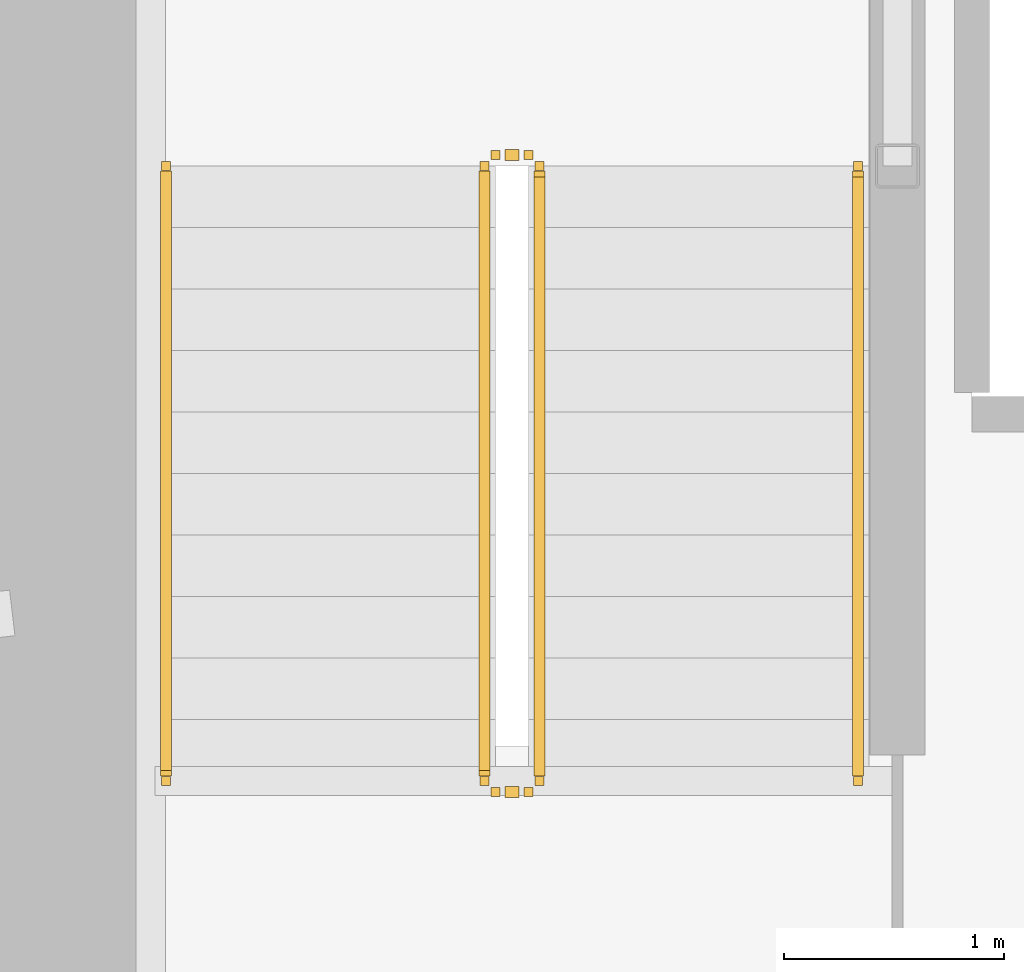
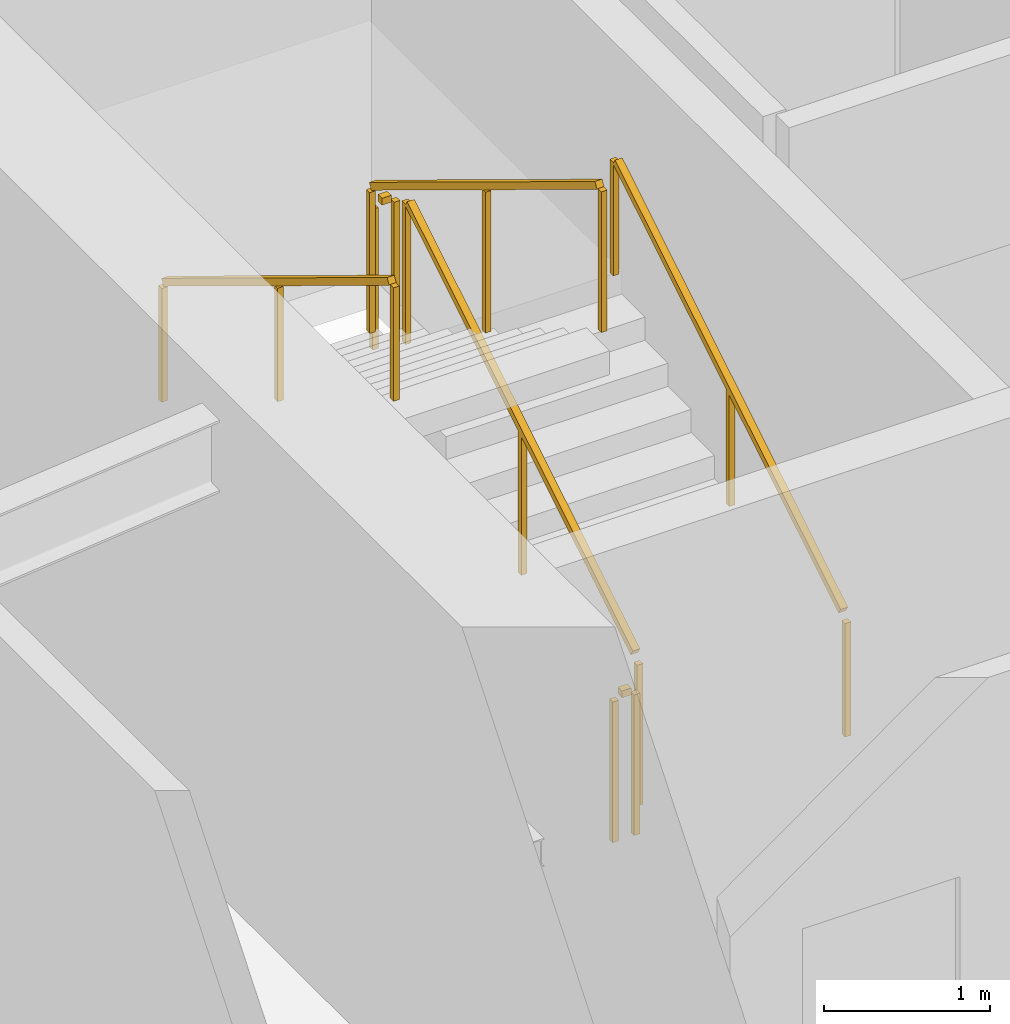
# One storey, part 18 of 23: 6 railings.
"""IFC4 building model written with IfcOpenShell, lengths in metres."""

from ifc_helpers import new_model, si_unit, direction, frame, origin, origin_2d, place, context, subcontext, project, spatial, rectangle, extrude, material, type_object, element, save


model = new_model("IFC4")

# Units and contexts
model_context = context("Model", 3, precision=1e-05, world=origin(), true_north=direction((0.0, 1.0)))
body_context = subcontext(model_context, "Body", "Model", "MODEL_VIEW")
ifc_project = project(units=[si_unit("LENGTHUNIT", "METRE"), si_unit("AREAUNIT", "SQUARE_METRE"), si_unit("VOLUMEUNIT", "CUBIC_METRE"), si_unit("PLANEANGLEUNIT", "RADIAN"), si_unit("MASSUNIT", "GRAM", prefix="KILO")], contexts=[model_context])

# Site, building, storey
site_placement = place(None, origin())
site = spatial("IfcSite", under=ifc_project, at=site_placement, CompositionType="ELEMENT")
building_placement = place(site_placement, origin())
building = spatial("IfcBuilding", under=site, at=building_placement, Name="Kazma Halo Residences", CompositionType="ELEMENT")
storey_placement = place(building_placement, frame((0.0, 0.0, 86.39990234375)))
storey = spatial("IfcBuildingStorey", under=building, at=storey_placement, Name="L21", CompositionType="ELEMENT", Elevation=86.39990234375)

# Railings
ifc_material_1 = material(Name="Painted Steel S355", Category="steel")
railing_type_1 = type_object("IfcRailingType", Name="RLG-STAIR-GRD-1100", PredefinedType="GUARDRAIL", material=ifc_material_1)
railing_1_placement = place(storey_placement, frame((39.550048828125, 39.949951171875, 0.170654296875)))
element("IfcRailing", 1, at=railing_1_placement, inside=storey, type_object=railing_type_1, Name="L21 ST-01 stair guard 1", PredefinedType="GUARDRAIL", context=body_context, shape_type="SweptSolid", body=[
    extrude(rectangle(XDim=0.050048828125, YDim=0.050048828125, at=origin_2d()), frame((0.0, 0.036376953125, 1.09716796875), z_axis=(0.0, 0.854202870247, 0.519939858505), x_axis=(-1.0, 0.0, 0.0)), (0.0, 0.0, 1.0), 3.19287109375),
    extrude(rectangle(XDim=0.0400390625, YDim=0.0400390625, at=origin_2d()), origin(), (0.0, 0.0, 1.0), 1.0380859375),
    extrude(rectangle(XDim=0.0400390625, YDim=0.0400390625, at=origin_2d()), frame((0.0, 1.39990234375, 0.85205078125)), (0.0, 0.0, 1.0), 1.0380859375),
    extrude(rectangle(XDim=0.0400390625, YDim=0.0400390625, at=origin_2d()), frame((0.0, 2.800048828125, 1.704345703125)), (0.0, 0.0, 1.0), 1.0380859375),
])
railing_2_placement = place(storey_placement, frame((39.5, 42.800048828125, 1.875)))
element("IfcRailing", 2, at=railing_2_placement, inside=storey, type_object=railing_type_1, Name="L21 ST-01 stair guard 2", PredefinedType="GUARDRAIL", context=body_context, shape_type="SweptSolid", body=[
    extrude(rectangle(XDim=0.050048828125, YDim=0.050048828125, at=origin_2d()), frame((-0.04248046875, 0.0, 1.0751953125), z_axis=(-1.0, 0.0, 0.0), x_axis=(0.0, -1.0, 0.0)), (0.0, 0.0, 1.0), 0.06494140625),
    extrude(rectangle(XDim=0.0400390625, YDim=0.0400390625, at=origin_2d()), origin(), (0.0, 0.0, 1.0), 1.0380859375),
    extrude(rectangle(XDim=0.0400390625, YDim=0.0400390625, at=origin_2d()), frame((-0.14990234375, 0.0, 0.0)), (0.0, 0.0, 1.0), 1.0380859375),
])
railing_3_placement = place(storey_placement, frame((39.300048828125, 42.75, 2.045654296875)))
element("IfcRailing", 3, at=railing_3_placement, inside=storey, type_object=railing_type_1, Name="L21 ST-01 stair guard 3", PredefinedType="GUARDRAIL", context=body_context, shape_type="SweptSolid", body=[
    extrude(rectangle(XDim=0.050048828125, YDim=0.050048828125, at=origin_2d()), frame((0.0, -0.036376953125, 1.09716796875), z_axis=(0.0, -0.854202870247, 0.519939858505), x_axis=(1.0, 0.0, 0.0)), (0.0, 0.0, 1.0), 3.19287109375),
    extrude(rectangle(XDim=0.0400390625, YDim=0.0400390625, at=origin_2d()), origin(), (0.0, 0.0, 1.0), 1.0380859375),
    extrude(rectangle(XDim=0.0400390625, YDim=0.0400390625, at=origin_2d()), frame((0.0, -1.39990234375, 0.85205078125)), (0.0, 0.0, 1.0), 1.0380859375),
    extrude(rectangle(XDim=0.0400390625, YDim=0.0400390625, at=origin_2d()), frame((0.0, -2.800048828125, 1.704345703125)), (0.0, 0.0, 1.0), 1.0380859375),
])
railing_4_placement = place(storey_placement, frame((39.5, 39.89990234375, 0.0)))
element("IfcRailing", 4, at=railing_4_placement, inside=storey, type_object=railing_type_1, Name="L21 ST-01 stair guard 4", PredefinedType="GUARDRAIL", context=body_context, shape_type="SweptSolid", body=[
    extrude(rectangle(XDim=0.050048828125, YDim=0.050048828125, at=origin_2d()), frame((-0.04248046875, 0.0, 1.0751953125), z_axis=(-1.0, 0.0, 0.0), x_axis=(0.0, -1.0, 0.0)), (0.0, 0.0, 1.0), 0.06494140625),
    extrude(rectangle(XDim=0.0400390625, YDim=0.0400390625, at=origin_2d()), origin(), (0.0, 0.0, 1.0), 1.0380859375),
    extrude(rectangle(XDim=0.0400390625, YDim=0.0400390625, at=origin_2d()), frame((-0.14990234375, 0.0, 0.0)), (0.0, 0.0, 1.0), 1.0380859375),
])
ifc_material_2 = material(Name="Brushed Stainless Steel", Category="steel")
railing_type_2 = type_object("IfcRailingType", Name="RLG-STAIR-HND-900", PredefinedType="HANDRAIL", material=ifc_material_2)
railing_5_placement = place(storey_placement, frame((41.0, 39.949951171875, 0.170654296875)))
element("IfcRailing", 5, at=railing_5_placement, inside=storey, type_object=railing_type_2, Name="L21 ST-01 stair handrail 1", PredefinedType="HANDRAIL", context=body_context, shape_type="SweptSolid", body=[
    extrude(rectangle(XDim=0.050048828125, YDim=0.050048828125, at=origin_2d()), frame((0.0, 0.036376953125, 0.89697265625), z_axis=(0.0, 0.854202870247, 0.519939858505), x_axis=(-1.0, 0.0, 0.0)), (0.0, 0.0, 1.0), 3.19287109375),
    extrude(rectangle(XDim=0.0400390625, YDim=0.0400390625, at=origin_2d()), origin(), (0.0, 0.0, 1.0), 0.837890625),
    extrude(rectangle(XDim=0.0400390625, YDim=0.0400390625, at=origin_2d()), frame((0.0, 1.39990234375, 0.85205078125)), (0.0, 0.0, 1.0), 0.837890625),
    extrude(rectangle(XDim=0.0400390625, YDim=0.0400390625, at=origin_2d()), frame((0.0, 2.800048828125, 1.704345703125)), (0.0, 0.0, 1.0), 0.837890625),
])
railing_6_placement = place(storey_placement, frame((37.85009765625, 42.75, 2.045654296875)))
element("IfcRailing", 6, at=railing_6_placement, inside=storey, type_object=railing_type_2, Name="L21 ST-01 stair handrail 2", PredefinedType="HANDRAIL", context=body_context, shape_type="SweptSolid", body=[
    extrude(rectangle(XDim=0.050048828125, YDim=0.050048828125, at=origin_2d()), frame((0.0, -0.036376953125, 0.89697265625), z_axis=(0.0, -0.854202870247, 0.519939858505), x_axis=(1.0, 0.0, 0.0)), (0.0, 0.0, 1.0), 3.19287109375),
    extrude(rectangle(XDim=0.0400390625, YDim=0.0400390625, at=origin_2d()), origin(), (0.0, 0.0, 1.0), 0.837890625),
    extrude(rectangle(XDim=0.0400390625, YDim=0.0400390625, at=origin_2d()), frame((0.0, -1.39990234375, 0.85205078125)), (0.0, 0.0, 1.0), 0.837890625),
    extrude(rectangle(XDim=0.0400390625, YDim=0.0400390625, at=origin_2d()), frame((0.0, -2.800048828125, 1.704345703125)), (0.0, 0.0, 1.0), 0.837890625),
])

save(model, "model.ifc")
